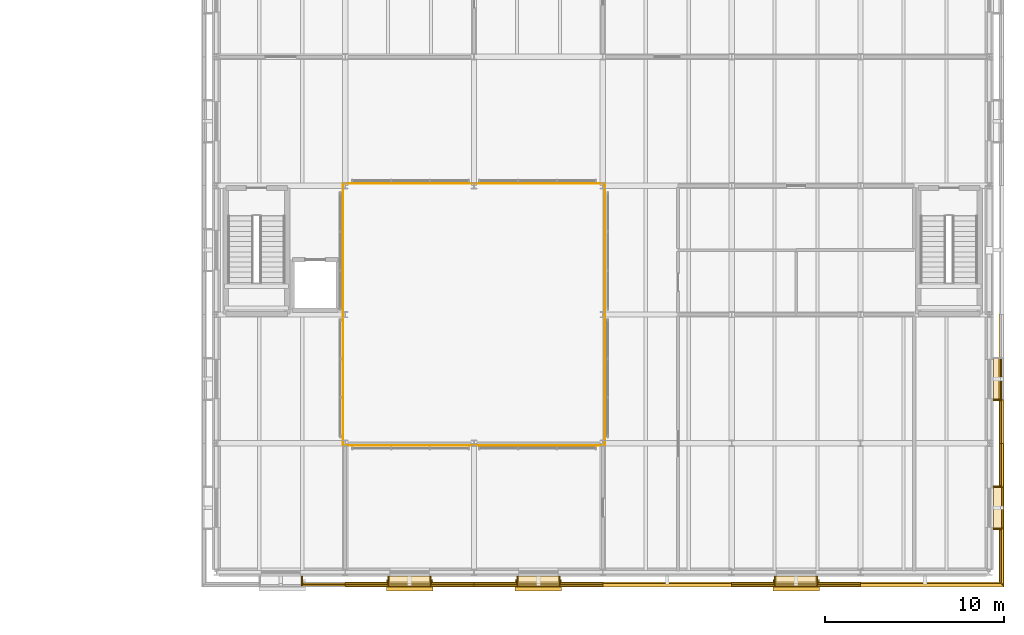
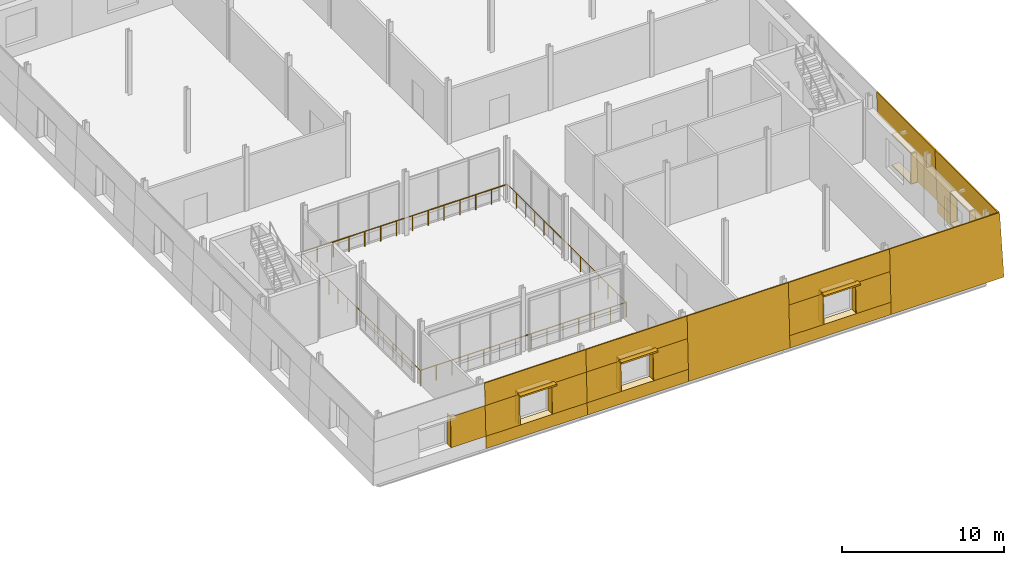
# One storey, part 116 of 121: 41 coverings, 4 railings, 3 shading devices.
"""IFC4 building model written with IfcOpenShell, lengths in metres."""

from ifc_helpers import new_model, si_unit, direction, frame, origin, origin_2d, place, context, subcontext, project, spatial, polyline, rectangle, circle, outline, extrude, material, layer, layer_set, type_object, element, save


model = new_model("IFC4")

# Units and contexts
model_context = context("Model", 3, precision=1e-05, world=origin(), true_north=direction((0.0, 1.0)))
body_context = subcontext(model_context, "Body", "Model", "MODEL_VIEW")
ifc_project = project(units=[si_unit("LENGTHUNIT", "METRE"), si_unit("AREAUNIT", "SQUARE_METRE"), si_unit("VOLUMEUNIT", "CUBIC_METRE"), si_unit("PLANEANGLEUNIT", "RADIAN"), si_unit("MASSUNIT", "GRAM", prefix="KILO")], contexts=[model_context])

# Site, building, storey
site_placement = place(None, origin())
site = spatial("IfcSite", under=ifc_project, at=site_placement, CompositionType="ELEMENT")
building_placement = place(site_placement, origin())
building = spatial("IfcBuilding", under=site, at=building_placement, Name="Narikvali Park Central Library", CompositionType="ELEMENT")
storey_placement = place(building_placement, frame((0.0, 0.0, 5.39990234375)))
storey = spatial("IfcBuildingStorey", under=building, at=storey_placement, Name="L01", CompositionType="ELEMENT", Elevation=5.39990234375)

# Railings
ifc_material_1 = material(Name="Laminated Tempered Glass and Stainless Steel", Category="steel")
ifc_layer_1 = layer(ifc_material_1, 0.06005859375, Name="Laminated Tempered Glass and Stainless Steel")
ifc_layer_set_1 = layer_set([ifc_layer_1], Name="Laminated Tempered Glass and Stainless Steel")
railing_type = type_object("IfcRailingType", Name="Atrium Void Tempered Glass Guardrail 1150", PredefinedType="GUARDRAIL", material=ifc_layer_set_1)
railing_1_placement = place(storey_placement, frame((129.47998046875, 7.080078125, 0.0)))
element("IfcRailing", 1, at=railing_1_placement, inside=storey, type_object=railing_type, Name="V6 L01 Void Edge Guardrail S", PredefinedType="GUARDRAIL", context=body_context, shape_type="SweptSolid", body=[
    extrude(circle(Radius=0.02392578125, at=origin_2d()), frame((0.0, 0.0, 1.1259765625), z_axis=(1.0, 0.0, 0.0), x_axis=(0.0, 1.0, 0.0)), (0.0, 0.0, 1.0), 14.64013671875),
    extrude(circle(Radius=0.02099609375, at=origin_2d()), origin(), (0.0, 0.0, 1.0), 1.101806640625),
    extrude(circle(Radius=0.02099609375, at=origin_2d()), frame((1.126220703125, 0.0, 0.0)), (0.0, 0.0, 1.0), 1.101806640625),
    extrude(circle(Radius=0.02099609375, at=origin_2d()), frame((2.25244140625, 0.0, 0.0)), (0.0, 0.0, 1.0), 1.101806640625),
    extrude(circle(Radius=0.02099609375, at=origin_2d()), frame((3.37841796875, 0.0, 0.0)), (0.0, 0.0, 1.0), 1.101806640625),
    extrude(circle(Radius=0.02099609375, at=origin_2d()), frame((4.504638671875, 0.0, 0.0)), (0.0, 0.0, 1.0), 1.101806640625),
    extrude(circle(Radius=0.02099609375, at=origin_2d()), frame((5.630859375, 0.0, 0.0)), (0.0, 0.0, 1.0), 1.101806640625),
    extrude(circle(Radius=0.02099609375, at=origin_2d()), frame((6.757080078125, 0.0, 0.0)), (0.0, 0.0, 1.0), 1.101806640625),
    extrude(circle(Radius=0.02099609375, at=origin_2d()), frame((7.883056640625, 0.0, 0.0)), (0.0, 0.0, 1.0), 1.101806640625),
    extrude(circle(Radius=0.02099609375, at=origin_2d()), frame((9.00927734375, 0.0, 0.0)), (0.0, 0.0, 1.0), 1.101806640625),
    extrude(circle(Radius=0.02099609375, at=origin_2d()), frame((10.135498046875, 0.0, 0.0)), (0.0, 0.0, 1.0), 1.101806640625),
    extrude(circle(Radius=0.02099609375, at=origin_2d()), frame((11.26171875, 0.0, 0.0)), (0.0, 0.0, 1.0), 1.101806640625),
    extrude(circle(Radius=0.02099609375, at=origin_2d()), frame((12.3876953125, 0.0, 0.0)), (0.0, 0.0, 1.0), 1.101806640625),
    extrude(circle(Radius=0.02099609375, at=origin_2d()), frame((13.513916015625, 0.0, 0.0)), (0.0, 0.0, 1.0), 1.101806640625),
    extrude(circle(Radius=0.02099609375, at=origin_2d()), frame((14.64013671875, 0.0, 0.0)), (0.0, 0.0, 1.0), 1.101806640625),
])
railing_2_placement = place(storey_placement, frame((144.1201171875, 7.080078125, 0.0)))
element("IfcRailing", 2, at=railing_2_placement, inside=storey, type_object=railing_type, Name="V6 L01 Void Edge Guardrail E", PredefinedType="GUARDRAIL", context=body_context, shape_type="SweptSolid", body=[
    extrude(circle(Radius=0.02392578125, at=origin_2d()), frame((0.0, 0.0, 1.1259765625), z_axis=(0.0, 1.0, 0.0), x_axis=(-1.0, 0.0, 0.0)), (0.0, 0.0, 1.0), 14.639892578125),
    extrude(circle(Radius=0.02099609375, at=origin_2d()), origin(), (0.0, 0.0, 1.0), 1.101806640625),
    extrude(circle(Radius=0.02099609375, at=origin_2d()), frame((0.0, 1.126220703125, 0.0)), (0.0, 0.0, 1.0), 1.101806640625),
    extrude(circle(Radius=0.02099609375, at=origin_2d()), frame((0.0, 2.252197265625, 0.0)), (0.0, 0.0, 1.0), 1.101806640625),
    extrude(circle(Radius=0.02099609375, at=origin_2d()), frame((0.0, 3.37841796875, 0.0)), (0.0, 0.0, 1.0), 1.101806640625),
    extrude(circle(Radius=0.02099609375, at=origin_2d()), frame((0.0, 4.504638671875, 0.0)), (0.0, 0.0, 1.0), 1.101806640625),
    extrude(circle(Radius=0.02099609375, at=origin_2d()), frame((0.0, 5.630615234375, 0.0)), (0.0, 0.0, 1.0), 1.101806640625),
    extrude(circle(Radius=0.02099609375, at=origin_2d()), frame((0.0, 6.7568359375, 0.0)), (0.0, 0.0, 1.0), 1.101806640625),
    extrude(circle(Radius=0.02099609375, at=origin_2d()), frame((0.0, 7.883056640625, 0.0)), (0.0, 0.0, 1.0), 1.101806640625),
    extrude(circle(Radius=0.02099609375, at=origin_2d()), frame((0.0, 9.00927734375, 0.0)), (0.0, 0.0, 1.0), 1.101806640625),
    extrude(circle(Radius=0.02099609375, at=origin_2d()), frame((0.0, 10.13525390625, 0.0)), (0.0, 0.0, 1.0), 1.101806640625),
    extrude(circle(Radius=0.02099609375, at=origin_2d()), frame((0.0, 11.261474609375, 0.0)), (0.0, 0.0, 1.0), 1.101806640625),
    extrude(circle(Radius=0.02099609375, at=origin_2d()), frame((0.0, 12.3876953125, 0.0)), (0.0, 0.0, 1.0), 1.101806640625),
    extrude(circle(Radius=0.02099609375, at=origin_2d()), frame((0.0, 13.513671875, 0.0)), (0.0, 0.0, 1.0), 1.101806640625),
    extrude(circle(Radius=0.02099609375, at=origin_2d()), frame((0.0, 14.639892578125, 0.0)), (0.0, 0.0, 1.0), 1.101806640625),
])
railing_3_placement = place(storey_placement, frame((144.1201171875, 21.719970703125, 0.0)))
element("IfcRailing", 3, at=railing_3_placement, inside=storey, type_object=railing_type, Name="V6 L01 Void Edge Guardrail N", PredefinedType="GUARDRAIL", context=body_context, shape_type="SweptSolid", body=[
    extrude(circle(Radius=0.02392578125, at=origin_2d()), frame((0.0, 0.0, 1.1259765625), z_axis=(-1.0, 0.0, 0.0), x_axis=(0.0, -1.0, 0.0)), (0.0, 0.0, 1.0), 14.64013671875),
    extrude(circle(Radius=0.02099609375, at=origin_2d()), origin(), (0.0, 0.0, 1.0), 1.101806640625),
    extrude(circle(Radius=0.02099609375, at=origin_2d()), frame((-1.126220703125, 0.0, 0.0)), (0.0, 0.0, 1.0), 1.101806640625),
    extrude(circle(Radius=0.02099609375, at=origin_2d()), frame((-2.25244140625, 0.0, 0.0)), (0.0, 0.0, 1.0), 1.101806640625),
    extrude(circle(Radius=0.02099609375, at=origin_2d()), frame((-3.37841796875, 0.0, 0.0)), (0.0, 0.0, 1.0), 1.101806640625),
    extrude(circle(Radius=0.02099609375, at=origin_2d()), frame((-4.504638671875, 0.0, 0.0)), (0.0, 0.0, 1.0), 1.101806640625),
    extrude(circle(Radius=0.02099609375, at=origin_2d()), frame((-5.630859375, 0.0, 0.0)), (0.0, 0.0, 1.0), 1.101806640625),
    extrude(circle(Radius=0.02099609375, at=origin_2d()), frame((-6.757080078125, 0.0, 0.0)), (0.0, 0.0, 1.0), 1.101806640625),
    extrude(circle(Radius=0.02099609375, at=origin_2d()), frame((-7.883056640625, 0.0, 0.0)), (0.0, 0.0, 1.0), 1.101806640625),
    extrude(circle(Radius=0.02099609375, at=origin_2d()), frame((-9.00927734375, 0.0, 0.0)), (0.0, 0.0, 1.0), 1.101806640625),
    extrude(circle(Radius=0.02099609375, at=origin_2d()), frame((-10.135498046875, 0.0, 0.0)), (0.0, 0.0, 1.0), 1.101806640625),
    extrude(circle(Radius=0.02099609375, at=origin_2d()), frame((-11.26171875, 0.0, 0.0)), (0.0, 0.0, 1.0), 1.101806640625),
    extrude(circle(Radius=0.02099609375, at=origin_2d()), frame((-12.3876953125, 0.0, 0.0)), (0.0, 0.0, 1.0), 1.101806640625),
    extrude(circle(Radius=0.02099609375, at=origin_2d()), frame((-13.513916015625, 0.0, 0.0)), (0.0, 0.0, 1.0), 1.101806640625),
    extrude(circle(Radius=0.02099609375, at=origin_2d()), frame((-14.64013671875, 0.0, 0.0)), (0.0, 0.0, 1.0), 1.101806640625),
])
railing_4_placement = place(storey_placement, frame((129.47998046875, 21.719970703125, 0.0)))
element("IfcRailing", 4, at=railing_4_placement, inside=storey, type_object=railing_type, Name="V6 L01 Void Edge Guardrail W", PredefinedType="GUARDRAIL", context=body_context, shape_type="SweptSolid", body=[
    extrude(circle(Radius=0.02392578125, at=origin_2d()), frame((0.0, 0.0, 1.1259765625), z_axis=(0.0, -1.0, 0.0), x_axis=(1.0, 0.0, 0.0)), (0.0, 0.0, 1.0), 14.639892578125),
    extrude(circle(Radius=0.02099609375, at=origin_2d()), origin(), (0.0, 0.0, 1.0), 1.101806640625),
    extrude(circle(Radius=0.02099609375, at=origin_2d()), frame((0.0, -1.126220703125, 0.0)), (0.0, 0.0, 1.0), 1.101806640625),
    extrude(circle(Radius=0.02099609375, at=origin_2d()), frame((0.0, -2.252197265625, 0.0)), (0.0, 0.0, 1.0), 1.101806640625),
    extrude(circle(Radius=0.02099609375, at=origin_2d()), frame((0.0, -3.37841796875, 0.0)), (0.0, 0.0, 1.0), 1.101806640625),
    extrude(circle(Radius=0.02099609375, at=origin_2d()), frame((0.0, -4.504638671875, 0.0)), (0.0, 0.0, 1.0), 1.101806640625),
    extrude(circle(Radius=0.02099609375, at=origin_2d()), frame((0.0, -5.630615234375, 0.0)), (0.0, 0.0, 1.0), 1.101806640625),
    extrude(circle(Radius=0.02099609375, at=origin_2d()), frame((0.0, -6.7568359375, 0.0)), (0.0, 0.0, 1.0), 1.101806640625),
    extrude(circle(Radius=0.02099609375, at=origin_2d()), frame((0.0, -7.883056640625, 0.0)), (0.0, 0.0, 1.0), 1.101806640625),
    extrude(circle(Radius=0.02099609375, at=origin_2d()), frame((0.0, -9.00927734375, 0.0)), (0.0, 0.0, 1.0), 1.101806640625),
    extrude(circle(Radius=0.02099609375, at=origin_2d()), frame((0.0, -10.13525390625, 0.0)), (0.0, 0.0, 1.0), 1.101806640625),
    extrude(circle(Radius=0.02099609375, at=origin_2d()), frame((0.0, -11.261474609375, 0.0)), (0.0, 0.0, 1.0), 1.101806640625),
    extrude(circle(Radius=0.02099609375, at=origin_2d()), frame((0.0, -12.3876953125, 0.0)), (0.0, 0.0, 1.0), 1.101806640625),
    extrude(circle(Radius=0.02099609375, at=origin_2d()), frame((0.0, -13.513671875, 0.0)), (0.0, 0.0, 1.0), 1.101806640625),
    extrude(circle(Radius=0.02099609375, at=origin_2d()), frame((0.0, -14.639892578125, 0.0)), (0.0, 0.0, 1.0), 1.101806640625),
])

# Coverings
ifc_material_2 = material(Name="White Honed Limestone Cladding", Category="masonry")
ifc_layer_2 = layer(ifc_material_2, 0.0849609375, Name="White Honed Limestone Cladding")
ifc_layer_set_2 = layer_set([ifc_layer_2], Name="White Honed Limestone Cladding")
covering_type_1 = type_object("IfcCoveringType", Name="Battered White Limestone Facade Cladding Panel", PredefinedType="CLADDING", material=ifc_layer_set_2)
covering_1_placement = place(storey_placement, frame((127.139892578125, -0.7822265625, 0.900146484375), z_axis=(0.0, -0.999164352475, 0.040872934124), x_axis=(1.0, 0.0, 0.0)))
element("IfcCovering", 5, at=covering_1_placement, inside=storey, type_object=covering_type_1, Name="V6 L01 S Battered Limestone Jamb Pier R B01", PredefinedType="CLADDING", context=body_context, shape_type="SweptSolid", body=[
    extrude(outline(polyline([(0.0, 0.0), (2.460205078125, 0.0), (2.460205078125, 2.2518817794363186), (0.0, 2.2518817794363186), (0.0, 0.0)])), origin(), (0.0, 0.0, -1.0), 0.0849609375),
])
covering_2_placement = place(storey_placement, frame((129.60009765625, -0.819091796875, 0.0), z_axis=(0.0, -0.999162409553, 0.040920402453), x_axis=(1.0, 0.0, 0.0)))
element("IfcCovering", 6, at=covering_2_placement, inside=storey, type_object=covering_type_1, Name="V6 L01 S Battered Limestone Spandrel B02", PredefinedType="CLADDING", context=body_context, shape_type="SweptSolid", body=[
    extrude(outline(polyline([(0.0, 0.0), (7.199951171875, 0.0), (7.199951171875, 0.9009010705056333), (0.0, 0.9009010705056333), (0.0, 0.0)])), origin(), (0.0, 0.0, -1.0), 0.0849609375),
])
covering_3_placement = place(storey_placement, frame((129.60009765625, -0.690185546875, 3.150146484375), z_axis=(0.0, -0.999161030138, 0.040954070043), x_axis=(1.0, 0.0, 0.0)))
element("IfcCovering", 7, at=covering_3_placement, inside=storey, type_object=covering_type_1, Name="V6 L01 S Battered Limestone Lintel B02", PredefinedType="CLADDING", context=body_context, shape_type="SweptSolid", body=[
    extrude(outline(polyline([(0.0, 0.0), (7.199951171875, 0.0), (7.199951171875, 1.6512877243838258), (0.0, 1.6512877243838258), (0.0, 0.0)])), origin(), (0.0, 0.0, -1.0), 0.0849609375),
])
for number, where, z_axis, x_axis, name in (
    (8, (129.60009765625, -0.7822265625, 0.900146484375), (0.0, -0.999164352475, 0.040872934124), (1.0, 0.0, 0.0), "V6 L01 S Battered Limestone Jamb Pier L B02"),
    (9, (134.340087890625, -0.7822265625, 0.900146484375), (0.0, -0.999164352475, 0.040872934124), (1.0, 0.0, 0.0), "V6 L01 S Battered Limestone Jamb Pier R B02"),
):
    element("IfcCovering", number, at=place(storey_placement, frame(where, z_axis=z_axis, x_axis=x_axis)), inside=storey, type_object=covering_type_1, Name=name, PredefinedType="CLADDING", context=body_context, shape_type="SweptSolid", body=[
        extrude(outline(polyline([(0.0, 0.0), (2.4599609375, 0.0), (2.4599609375, 2.251881779436319), (0.0, 2.251881779436319), (0.0, 0.0)])), origin(), (0.0, 0.0, -1.0), 0.0849609375),
    ])
covering_4_placement = place(storey_placement, frame((136.800048828125, -0.819091796875, 0.0), z_axis=(0.0, -0.999162409553, 0.040920402453), x_axis=(1.0, 0.0, 0.0)))
element("IfcCovering", 10, at=covering_4_placement, inside=storey, type_object=covering_type_1, Name="V6 L01 S Battered Limestone Spandrel B03", PredefinedType="CLADDING", context=body_context, shape_type="SweptSolid", body=[
    extrude(outline(polyline([(0.0, 0.0), (7.199951171875, 0.0), (7.199951171875, 0.9009010705056333), (0.0, 0.9009010705056333), (0.0, 0.0)])), origin(), (0.0, 0.0, -1.0), 0.0849609375),
])
covering_5_placement = place(storey_placement, frame((136.800048828125, -0.690185546875, 3.150146484375), z_axis=(0.0, -0.999161030138, 0.040954070043), x_axis=(1.0, 0.0, 0.0)))
element("IfcCovering", 11, at=covering_5_placement, inside=storey, type_object=covering_type_1, Name="V6 L01 S Battered Limestone Lintel B03", PredefinedType="CLADDING", context=body_context, shape_type="SweptSolid", body=[
    extrude(outline(polyline([(0.0, 0.0), (7.199951171875, 0.0), (7.199951171875, 1.6512877243838258), (0.0, 1.6512877243838258), (0.0, 0.0)])), origin(), (0.0, 0.0, -1.0), 0.0849609375),
])
for number, where, z_axis, x_axis, name in (
    (12, (136.800048828125, -0.7822265625, 0.900146484375), (0.0, -0.999164352475, 0.040872934124), (1.0, 0.0, 0.0), "V6 L01 S Battered Limestone Jamb Pier L B03"),
    (13, (141.5400390625, -0.7822265625, 0.900146484375), (0.0, -0.999164352475, 0.040872934124), (1.0, 0.0, 0.0), "V6 L01 S Battered Limestone Jamb Pier R B03"),
):
    element("IfcCovering", number, at=place(storey_placement, frame(where, z_axis=z_axis, x_axis=x_axis)), inside=storey, type_object=covering_type_1, Name=name, PredefinedType="CLADDING", context=body_context, shape_type="SweptSolid", body=[
        extrude(outline(polyline([(0.0, 0.0), (2.4599609375, 0.0), (2.4599609375, 2.251881779436319), (0.0, 2.251881779436319), (0.0, 0.0)])), origin(), (0.0, 0.0, -1.0), 0.0849609375),
    ])
covering_6_placement = place(storey_placement, frame((144.0, -0.819091796875, 0.0), z_axis=(0.0, -0.999162846811, 0.040909724413), x_axis=(1.0, 0.0, 0.0)))
element("IfcCovering", 14, at=covering_6_placement, inside=storey, type_object=covering_type_1, Name="V6 L01 S Battered Limestone Panel B04", PredefinedType="CLADDING", context=body_context, shape_type="SweptSolid", body=[
    extrude(outline(polyline([(0.0, 0.0), (7.199951171875, 0.0), (7.199951171875, 4.8040705711214065), (0.0, 4.8040705711214065), (0.0, 0.0)])), origin(), (0.0, 0.0, -1.0), 0.0849609375),
])
covering_7_placement = place(storey_placement, frame((151.199951171875, -0.819091796875, 0.0), z_axis=(0.0, -0.999162409553, 0.040920402453), x_axis=(1.0, 0.0, 0.0)))
element("IfcCovering", 15, at=covering_7_placement, inside=storey, type_object=covering_type_1, Name="V6 L01 S Battered Limestone Spandrel B05", PredefinedType="CLADDING", context=body_context, shape_type="SweptSolid", body=[
    extrude(outline(polyline([(0.0, 0.0), (7.199951171875, 0.0), (7.199951171875, 0.9009010705056333), (0.0, 0.9009010705056333), (0.0, 0.0)])), origin(), (0.0, 0.0, -1.0), 0.0849609375),
])
covering_8_placement = place(storey_placement, frame((151.199951171875, -0.690185546875, 3.150146484375), z_axis=(0.0, -0.999161030138, 0.040954070043), x_axis=(1.0, 0.0, 0.0)))
element("IfcCovering", 16, at=covering_8_placement, inside=storey, type_object=covering_type_1, Name="V6 L01 S Battered Limestone Lintel B05", PredefinedType="CLADDING", context=body_context, shape_type="SweptSolid", body=[
    extrude(outline(polyline([(0.0, 0.0), (7.199951171875, 0.0), (7.199951171875, 1.6512877243838258), (0.0, 1.6512877243838258), (0.0, 0.0)])), origin(), (0.0, 0.0, -1.0), 0.0849609375),
])
for number, where, z_axis, x_axis, name in (
    (17, (151.199951171875, -0.7822265625, 0.900146484375), (0.0, -0.999164352475, 0.040872934124), (1.0, 0.0, 0.0), "V6 L01 S Battered Limestone Jamb Pier L B05"),
    (18, (155.93994140625, -0.7822265625, 0.900146484375), (0.0, -0.999164352475, 0.040872934124), (1.0, 0.0, 0.0), "V6 L01 S Battered Limestone Jamb Pier R B05"),
):
    element("IfcCovering", number, at=place(storey_placement, frame(where, z_axis=z_axis, x_axis=x_axis)), inside=storey, type_object=covering_type_1, Name=name, PredefinedType="CLADDING", context=body_context, shape_type="SweptSolid", body=[
        extrude(outline(polyline([(0.0, 0.0), (2.4599609375, 0.0), (2.4599609375, 2.251881779436319), (0.0, 2.251881779436319), (0.0, 0.0)])), origin(), (0.0, 0.0, -1.0), 0.0849609375),
    ])
covering_9_placement = place(storey_placement, frame((158.39990234375, -0.819091796875, 0.0), z_axis=(0.0, -0.999162846811, 0.040909724413), x_axis=(1.0, 0.0, 0.0)))
element("IfcCovering", 19, at=covering_9_placement, inside=storey, type_object=covering_type_1, Name="V6 L01 S Battered Limestone Panel B06", PredefinedType="CLADDING", context=body_context, shape_type="SweptSolid", body=[
    extrude(outline(polyline([(0.0, 0.0), (8.01904296875, 0.0), (7.82275390625, 4.8040705711214065), (0.0, 4.8040705711214065), (0.0, 0.0)])), origin(), (0.0, 0.0, -1.0), 0.0849609375),
])
covering_10_placement = place(storey_placement, frame((166.4189453125, -0.73388671875, 0.0), z_axis=(0.999162409553, 0.0, 0.040920402453), x_axis=(0.0, 1.0, 0.0)))
element("IfcCovering", 20, at=covering_10_placement, inside=storey, type_object=covering_type_1, Name="V6 L01 E Battered Limestone Spandrel B01", PredefinedType="CLADDING", context=body_context, shape_type="SweptSolid", body=[
    extrude(outline(polyline([(0.0, 0.0), (7.933837890625, 0.0), (7.933837890625, 0.9009010705056332), (0.03662109375, 0.9009010705056332), (0.0, 0.0)])), origin(), (0.0, 0.0, -1.0), 0.0849609375),
])
covering_11_placement = place(storey_placement, frame((166.2900390625, -0.60498046875, 3.150146484375), z_axis=(0.999167069196, 0.0, 0.040806468052), x_axis=(0.0, 1.0, 0.0)))
element("IfcCovering", 21, at=covering_11_placement, inside=storey, type_object=covering_type_1, Name="V6 L01 E Battered Limestone Lintel B01", PredefinedType="CLADDING", context=body_context, shape_type="SweptSolid", body=[
    extrude(outline(polyline([(0.0, 0.0), (7.804931640625, 0.0), (7.804931640625, 1.651277743849336), (0.0673828125, 1.651277743849336), (0.0, 0.0)])), origin(), (0.0, 0.0, -1.0), 0.0849609375),
])
covering_12_placement = place(storey_placement, frame((166.382080078125, -0.697265625, 0.900146484375), z_axis=(0.999164352475, 0.0, 0.040872934124), x_axis=(0.0, 1.0, 0.0)))
element("IfcCovering", 22, at=covering_12_placement, inside=storey, type_object=covering_type_1, Name="V6 L01 E Battered Limestone Jamb Pier L B01", PredefinedType="CLADDING", context=body_context, shape_type="SweptSolid", body=[
    extrude(outline(polyline([(0.0, 0.0), (3.1572265625, 0.0), (3.1572265625, 2.251881779436319), (0.09228515625, 2.251881779436319), (0.0, 0.0)])), origin(), (0.0, 0.0, -1.0), 0.0849609375),
])
covering_13_placement = place(storey_placement, frame((166.382080078125, 4.739990234375, 0.900146484375), z_axis=(0.999164352475, 0.0, 0.040872934124), x_axis=(0.0, 1.0, 0.0)))
element("IfcCovering", 23, at=covering_13_placement, inside=storey, type_object=covering_type_1, Name="V6 L01 E Battered Limestone Jamb Pier R B01", PredefinedType="CLADDING", context=body_context, shape_type="SweptSolid", body=[
    extrude(outline(polyline([(0.0, 0.0), (2.4599609375, 0.0), (2.4599609375, 2.251881779436319), (0.0, 2.251881779436319), (0.0, 0.0)])), origin(), (0.0, 0.0, -1.0), 0.0849609375),
])
covering_14_placement = place(storey_placement, frame((166.2900390625, 7.199951171875, 3.150146484375), z_axis=(0.999167069196, 0.0, 0.040806468052), x_axis=(0.0, 1.0, 0.0)))
element("IfcCovering", 24, at=covering_14_placement, inside=storey, type_object=covering_type_1, Name="V6 L01 E Battered Limestone Lintel B02", PredefinedType="CLADDING", context=body_context, shape_type="SweptSolid", body=[
    extrude(outline(polyline([(0.0, 0.0), (7.199951171875, 0.0), (7.199951171875, 1.651277743849336), (0.0, 1.651277743849336), (0.0, 0.0)])), origin(), (0.0, 0.0, -1.0), 0.0849609375),
])
covering_15_placement = place(storey_placement, frame((166.382080078125, 7.199951171875, 0.900146484375), z_axis=(0.999164352475, 0.0, 0.040872934124), x_axis=(0.0, 1.0, 0.0)))
element("IfcCovering", 25, at=covering_15_placement, inside=storey, type_object=covering_type_1, Name="V6 L01 E Battered Limestone Jamb Pier L B02", PredefinedType="CLADDING", context=body_context, shape_type="SweptSolid", body=[
    extrude(outline(polyline([(0.0, 0.0), (2.4599609375, 0.0), (2.4599609375, 2.251881779436319), (0.0, 2.251881779436319), (0.0, 0.0)])), origin(), (0.0, 0.0, -1.0), 0.0849609375),
])

# Shading devices
ifc_material_3 = material(Name="Anodised Bronze Aluminium", Category="aluminium")
ifc_layer_3 = layer(ifc_material_3, 0.1201171875, Name="Anodised Bronze Aluminium")
ifc_layer_set_3 = layer_set([ifc_layer_3], Name="Anodised Bronze Aluminium")
shading_device_type = type_object("IfcShadingDeviceType", Name="Bronze Classical Cornice Sun Brise-Soleil 650", PredefinedType="SHUTTER", material=ifc_layer_set_3)
for number, where, z_axis, x_axis, name in (
    (26, (133.199951171875, -0.719970703125, 3.150146484375), (0.0, 0.0, 1.0), (1.0, 0.0, 0.0), "V6 L01 Classical Bronze Brise-Soleil 02"),
    (27, (140.39990234375, -0.719970703125, 3.150146484375), (0.0, 0.0, 1.0), (1.0, 0.0, 0.0), "V6 L01 Classical Bronze Brise-Soleil 03"),
    (28, (154.800048828125, -0.719970703125, 3.150146484375), (0.0, 0.0, 1.0), (1.0, 0.0, 0.0), "V6 L01 Classical Bronze Brise-Soleil 05"),
):
    element("IfcShadingDevice", number, at=place(storey_placement, frame(where, z_axis=z_axis, x_axis=x_axis)), inside=storey, type_object=shading_device_type, Name=name, PredefinedType="SHUTTER", context=body_context, shape_type="SweptSolid", body=[
        extrude(rectangle(XDim=2.60009765625, YDim=0.64990234375, at=origin_2d()), origin(), (0.0, 0.0, 1.0), 0.1201171875),
    ])

# Coverings
ifc_layer_4 = layer(ifc_material_2, 0.080078125, Name="White Honed Limestone Cladding")
ifc_layer_set_4 = layer_set([ifc_layer_4], Name="White Honed Limestone Cladding")
covering_type_2 = type_object("IfcCoveringType", Name="Deep Carved White Limestone Window Reveal", PredefinedType="CLADDING", material=ifc_layer_set_4)
covering_16_placement = place(storey_placement, frame((0.0, 0.0, 0.900146484375)))
element("IfcCovering", 29, at=covering_16_placement, inside=storey, type_object=covering_type_2, Name="Deep Stone Reveal Jamb R V6-RVL-L01-S-B01", PredefinedType="CLADDING", context=body_context, shape_type="SweptSolid", body=[
    extrude(outline(polyline([(127.139892578125, -0.22509765625), (127.219970703125, -0.22509765625), (127.219970703125, -0.690185546875), (127.139892578125, -0.690185546875), (127.139892578125, -0.22509765625)])), origin(), (0.0, 0.0, 1.0), 2.25),
])
covering_17_placement = place(storey_placement, frame((0.0, 0.0, 3.150146484375)))
element("IfcCovering", 30, at=covering_17_placement, inside=storey, type_object=covering_type_2, Name="Deep Stone Reveal Head V6-RVL-L01-S-B02", PredefinedType="CLADDING", context=body_context, shape_type="SweptSolid", body=[
    extrude(outline(polyline([(132.02001953125, -0.22509765625), (134.3798828125, -0.22509765625), (134.3798828125, -0.690185546875), (132.02001953125, -0.690185546875), (132.02001953125, -0.22509765625)])), origin(), (0.0, 0.0, 1.0), 0.079833984375),
])
covering_18_placement = place(storey_placement, frame((0.0, 0.0, 0.820068359375)))
element("IfcCovering", 31, at=covering_18_placement, inside=storey, type_object=covering_type_2, Name="Deep Stone Reveal Sill V6-RVL-L01-S-B02", PredefinedType="CLADDING", context=body_context, shape_type="SweptSolid", body=[
    extrude(outline(polyline([(132.02001953125, -0.22509765625), (134.3798828125, -0.22509765625), (134.3798828125, -0.7822265625), (132.02001953125, -0.7822265625), (132.02001953125, -0.22509765625)])), origin(), (0.0, 0.0, 1.0), 0.080078125),
])
covering_19_placement = place(storey_placement, frame((0.0, 0.0, 0.900146484375)))
element("IfcCovering", 32, at=covering_19_placement, inside=storey, type_object=covering_type_2, Name="Deep Stone Reveal Jamb L V6-RVL-L01-S-B02", PredefinedType="CLADDING", context=body_context, shape_type="SweptSolid", body=[
    extrude(outline(polyline([(131.97998046875, -0.22509765625), (132.06005859375, -0.22509765625), (132.06005859375, -0.690185546875), (131.97998046875, -0.690185546875), (131.97998046875, -0.22509765625)])), origin(), (0.0, 0.0, 1.0), 2.25),
])
covering_20_placement = place(storey_placement, frame((0.0, 0.0, 0.900146484375)))
element("IfcCovering", 33, at=covering_20_placement, inside=storey, type_object=covering_type_2, Name="Deep Stone Reveal Jamb R V6-RVL-L01-S-B02", PredefinedType="CLADDING", context=body_context, shape_type="SweptSolid", body=[
    extrude(outline(polyline([(134.340087890625, -0.22509765625), (134.419921875, -0.22509765625), (134.419921875, -0.690185546875), (134.340087890625, -0.690185546875), (134.340087890625, -0.22509765625)])), origin(), (0.0, 0.0, 1.0), 2.25),
])
covering_21_placement = place(storey_placement, frame((0.0, 0.0, 3.150146484375)))
element("IfcCovering", 34, at=covering_21_placement, inside=storey, type_object=covering_type_2, Name="Deep Stone Reveal Head V6-RVL-L01-S-B03", PredefinedType="CLADDING", context=body_context, shape_type="SweptSolid", body=[
    extrude(outline(polyline([(139.219970703125, -0.22509765625), (141.580078125, -0.22509765625), (141.580078125, -0.690185546875), (139.219970703125, -0.690185546875), (139.219970703125, -0.22509765625)])), origin(), (0.0, 0.0, 1.0), 0.079833984375),
])
covering_22_placement = place(storey_placement, frame((0.0, 0.0, 0.820068359375)))
element("IfcCovering", 35, at=covering_22_placement, inside=storey, type_object=covering_type_2, Name="Deep Stone Reveal Sill V6-RVL-L01-S-B03", PredefinedType="CLADDING", context=body_context, shape_type="SweptSolid", body=[
    extrude(outline(polyline([(139.219970703125, -0.22509765625), (141.580078125, -0.22509765625), (141.580078125, -0.7822265625), (139.219970703125, -0.7822265625), (139.219970703125, -0.22509765625)])), origin(), (0.0, 0.0, 1.0), 0.080078125),
])
covering_23_placement = place(storey_placement, frame((0.0, 0.0, 0.900146484375)))
element("IfcCovering", 36, at=covering_23_placement, inside=storey, type_object=covering_type_2, Name="Deep Stone Reveal Jamb L V6-RVL-L01-S-B03", PredefinedType="CLADDING", context=body_context, shape_type="SweptSolid", body=[
    extrude(outline(polyline([(139.179931640625, -0.22509765625), (139.260009765625, -0.22509765625), (139.260009765625, -0.690185546875), (139.179931640625, -0.690185546875), (139.179931640625, -0.22509765625)])), origin(), (0.0, 0.0, 1.0), 2.25),
])
covering_24_placement = place(storey_placement, frame((0.0, 0.0, 0.900146484375)))
element("IfcCovering", 37, at=covering_24_placement, inside=storey, type_object=covering_type_2, Name="Deep Stone Reveal Jamb R V6-RVL-L01-S-B03", PredefinedType="CLADDING", context=body_context, shape_type="SweptSolid", body=[
    extrude(outline(polyline([(141.5400390625, -0.22509765625), (141.6201171875, -0.22509765625), (141.6201171875, -0.690185546875), (141.5400390625, -0.690185546875), (141.5400390625, -0.22509765625)])), origin(), (0.0, 0.0, 1.0), 2.25),
])
covering_25_placement = place(storey_placement, frame((0.0, 0.0, 3.150146484375)))
element("IfcCovering", 38, at=covering_25_placement, inside=storey, type_object=covering_type_2, Name="Deep Stone Reveal Head V6-RVL-L01-S-B05", PredefinedType="CLADDING", context=body_context, shape_type="SweptSolid", body=[
    extrude(outline(polyline([(153.6201171875, -0.22509765625), (155.97998046875, -0.22509765625), (155.97998046875, -0.690185546875), (153.6201171875, -0.690185546875), (153.6201171875, -0.22509765625)])), origin(), (0.0, 0.0, 1.0), 0.079833984375),
])
covering_26_placement = place(storey_placement, frame((0.0, 0.0, 0.820068359375)))
element("IfcCovering", 39, at=covering_26_placement, inside=storey, type_object=covering_type_2, Name="Deep Stone Reveal Sill V6-RVL-L01-S-B05", PredefinedType="CLADDING", context=body_context, shape_type="SweptSolid", body=[
    extrude(outline(polyline([(153.6201171875, -0.22509765625), (155.97998046875, -0.22509765625), (155.97998046875, -0.7822265625), (153.6201171875, -0.7822265625), (153.6201171875, -0.22509765625)])), origin(), (0.0, 0.0, 1.0), 0.080078125),
])
covering_27_placement = place(storey_placement, frame((0.0, 0.0, 0.900146484375)))
element("IfcCovering", 40, at=covering_27_placement, inside=storey, type_object=covering_type_2, Name="Deep Stone Reveal Jamb L V6-RVL-L01-S-B05", PredefinedType="CLADDING", context=body_context, shape_type="SweptSolid", body=[
    extrude(outline(polyline([(153.580078125, -0.22509765625), (153.659912109375, -0.22509765625), (153.659912109375, -0.690185546875), (153.580078125, -0.690185546875), (153.580078125, -0.22509765625)])), origin(), (0.0, 0.0, 1.0), 2.25),
])
covering_28_placement = place(storey_placement, frame((0.0, 0.0, 0.900146484375)))
element("IfcCovering", 41, at=covering_28_placement, inside=storey, type_object=covering_type_2, Name="Deep Stone Reveal Jamb R V6-RVL-L01-S-B05", PredefinedType="CLADDING", context=body_context, shape_type="SweptSolid", body=[
    extrude(outline(polyline([(155.93994140625, -0.22509765625), (156.02001953125, -0.22509765625), (156.02001953125, -0.690185546875), (155.93994140625, -0.690185546875), (155.93994140625, -0.22509765625)])), origin(), (0.0, 0.0, 1.0), 2.25),
])
covering_29_placement = place(storey_placement, frame((0.0, 0.0, 3.150146484375)))
element("IfcCovering", 42, at=covering_29_placement, inside=storey, type_object=covering_type_2, Name="Deep Stone Reveal Head V6-RVL-L01-E-B01", PredefinedType="CLADDING", context=body_context, shape_type="SweptSolid", body=[
    extrude(outline(polyline([(165.824951171875, 2.419921875), (165.824951171875, 4.780029296875), (166.2900390625, 4.780029296875), (166.2900390625, 2.419921875), (165.824951171875, 2.419921875)])), origin(), (0.0, 0.0, 1.0), 0.079833984375),
])
covering_30_placement = place(storey_placement, frame((0.0, 0.0, 0.820068359375)))
element("IfcCovering", 43, at=covering_30_placement, inside=storey, type_object=covering_type_2, Name="Deep Stone Reveal Sill V6-RVL-L01-E-B01", PredefinedType="CLADDING", context=body_context, shape_type="SweptSolid", body=[
    extrude(outline(polyline([(165.824951171875, 2.419921875), (165.824951171875, 4.780029296875), (166.382080078125, 4.780029296875), (166.382080078125, 2.419921875), (165.824951171875, 2.419921875)])), origin(), (0.0, 0.0, 1.0), 0.080078125),
])
covering_31_placement = place(storey_placement, frame((0.0, 0.0, 0.900146484375)))
element("IfcCovering", 44, at=covering_31_placement, inside=storey, type_object=covering_type_2, Name="Deep Stone Reveal Jamb L V6-RVL-L01-E-B01", PredefinedType="CLADDING", context=body_context, shape_type="SweptSolid", body=[
    extrude(outline(polyline([(165.824951171875, 2.3798828125), (165.824951171875, 2.4599609375), (166.2900390625, 2.4599609375), (166.2900390625, 2.3798828125), (165.824951171875, 2.3798828125)])), origin(), (0.0, 0.0, 1.0), 2.25),
])
covering_32_placement = place(storey_placement, frame((0.0, 0.0, 0.900146484375)))
element("IfcCovering", 45, at=covering_32_placement, inside=storey, type_object=covering_type_2, Name="Deep Stone Reveal Jamb R V6-RVL-L01-E-B01", PredefinedType="CLADDING", context=body_context, shape_type="SweptSolid", body=[
    extrude(outline(polyline([(165.824951171875, 4.739990234375), (165.824951171875, 4.820068359375), (166.2900390625, 4.820068359375), (166.2900390625, 4.739990234375), (165.824951171875, 4.739990234375)])), origin(), (0.0, 0.0, 1.0), 2.25),
])
covering_33_placement = place(storey_placement, frame((0.0, 0.0, 3.150146484375)))
element("IfcCovering", 46, at=covering_33_placement, inside=storey, type_object=covering_type_2, Name="Deep Stone Reveal Head V6-RVL-L01-E-B02", PredefinedType="CLADDING", context=body_context, shape_type="SweptSolid", body=[
    extrude(outline(polyline([(165.824951171875, 9.6201171875), (165.824951171875, 11.97998046875), (166.2900390625, 11.97998046875), (166.2900390625, 9.6201171875), (165.824951171875, 9.6201171875)])), origin(), (0.0, 0.0, 1.0), 0.079833984375),
])
covering_34_placement = place(storey_placement, frame((0.0, 0.0, 0.820068359375)))
element("IfcCovering", 47, at=covering_34_placement, inside=storey, type_object=covering_type_2, Name="Deep Stone Reveal Sill V6-RVL-L01-E-B02", PredefinedType="CLADDING", context=body_context, shape_type="SweptSolid", body=[
    extrude(outline(polyline([(165.824951171875, 9.6201171875), (165.824951171875, 11.97998046875), (166.382080078125, 11.97998046875), (166.382080078125, 9.6201171875), (165.824951171875, 9.6201171875)])), origin(), (0.0, 0.0, 1.0), 0.080078125),
])
covering_35_placement = place(storey_placement, frame((0.0, 0.0, 0.900146484375)))
element("IfcCovering", 48, at=covering_35_placement, inside=storey, type_object=covering_type_2, Name="Deep Stone Reveal Jamb L V6-RVL-L01-E-B02", PredefinedType="CLADDING", context=body_context, shape_type="SweptSolid", body=[
    extrude(outline(polyline([(165.824951171875, 9.580078125), (165.824951171875, 9.659912109375), (166.2900390625, 9.659912109375), (166.2900390625, 9.580078125), (165.824951171875, 9.580078125)])), origin(), (0.0, 0.0, 1.0), 2.25),
])

save(model, "model.ifc")
